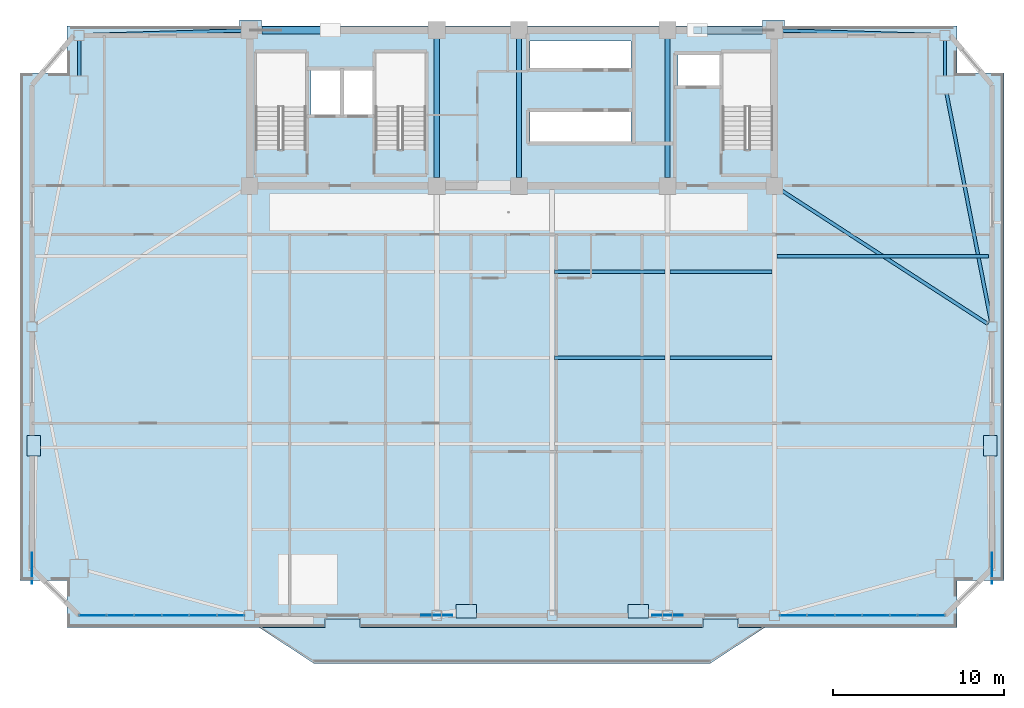
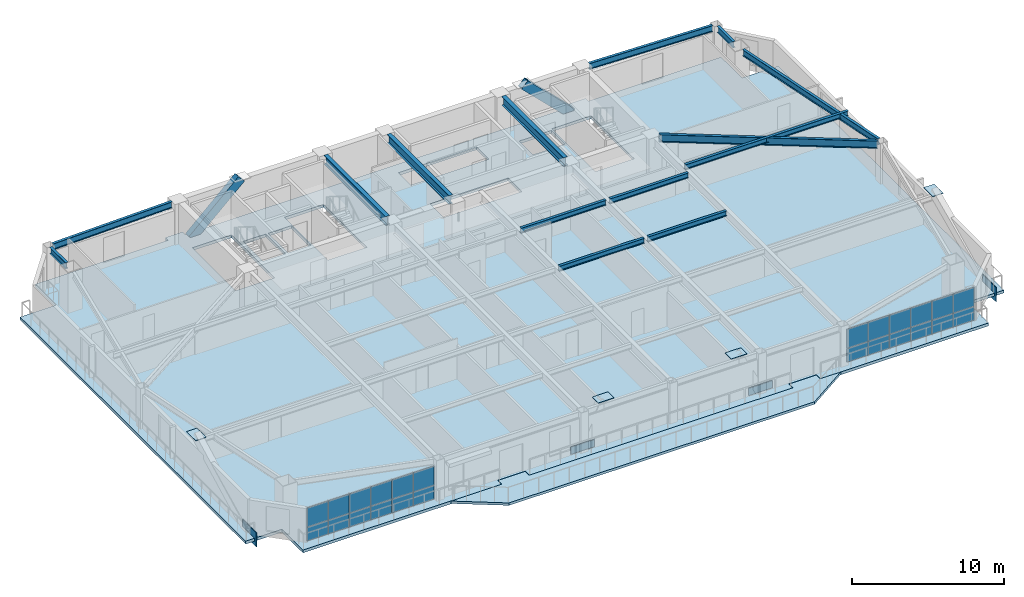
# One storey, part 7 of 17: 32 plates, 14 beams, 2 members, 2 slabs, 2 elements without a shape of their own.
"""IFC4 building model written with IfcOpenShell, lengths in metres."""

import ifcopenshell
import ifcopenshell.guid

model = None  # the IFC model being written
_history = None  # IfcOwnerHistory: only IFC2X3 demands one
_inside = {}  # id of a spatial element -> (the spatial element, [elements in it])
_under = {}  # id of a project, library or spatial element -> (it, [spatial elements below it])
_declared = {}  # id of a project -> (the project, [libraries it declares])
_typed = {}  # id of a type object -> (the type object, [elements of that type])
_made_of = {}  # id of a material, layer set ... -> (it, [elements and type objects made of it])


def new_model(schema):
    """Start an empty IFC model of exactly this schema.

    Asked for "IFC4X3", IfcOpenShell would pick the latest addendum, in which some entities
    have other attributes; the version numbers below select the first issue.
    IFC2X3 requires an IfcOwnerHistory on every rooted entity: one is made here for all.
    """
    global model, _history
    if schema == "IFC4X3":
        model = ifcopenshell.file(schema_version=(4, 3, 0, 0))
    else:
        model = ifcopenshell.file(schema=schema)
    _inside.clear()
    _under.clear()
    _declared.clear()
    _typed.clear()
    _made_of.clear()
    _history = None
    if model.schema == "IFC2X3":
        org = make("IfcOrganization", Name="unknown")
        user = make(
            "IfcPersonAndOrganization",
            ThePerson=make("IfcPerson", FamilyName="unknown"),
            TheOrganization=org,
        )
        app = make(
            "IfcApplication",
            ApplicationDeveloper=org,
            Version="unknown",
            ApplicationFullName="unknown",
            ApplicationIdentifier="unknown",
        )
        _history = make(
            "IfcOwnerHistory",
            OwningUser=user,
            OwningApplication=app,
            ChangeAction="ADDED",
            CreationDate=0,
        )
    return model


def make(cls, **values):
    """One entity of the class cls with the attributes given. An attribute that is None is left unset."""
    return model.create_entity(
        cls, **{name: value for name, value in values.items() if value is not None}
    )


def rooted(cls, **values):
    """An entity with a GlobalId (a new one), such as an element, a storey or a relation."""
    return make(cls, GlobalId=ifcopenshell.guid.new(), OwnerHistory=_history, **values)


def si_unit(unit_type, name, prefix=None):
    """IfcSIUnit, for example si_unit("LENGTHUNIT", "METRE", prefix="MILLI")."""
    return make("IfcSIUnit", UnitType=unit_type, Prefix=prefix, Name=name)


def assignment(units):
    """IfcUnitAssignment: the units of a project."""
    return None if units is None else make("IfcUnitAssignment", Units=units)


def point(xyz):
    """IfcCartesianPoint."""
    return None if xyz is None else make("IfcCartesianPoint", Coordinates=xyz)


def direction(xyz):
    """IfcDirection."""
    return None if xyz is None else make("IfcDirection", DirectionRatios=xyz)


def frame(location, z_axis=None, x_axis=None):
    """IfcAxis2Placement3D, a coordinate frame: its origin and axes. An axis left out is left unset."""
    return make(
        "IfcAxis2Placement3D",
        Location=point(location),
        Axis=direction(z_axis),
        RefDirection=direction(x_axis),
    )


def frame_2d(location, x_axis=None):
    """IfcAxis2Placement2D, a coordinate frame in the plane: its origin and x axis."""
    return make(
        "IfcAxis2Placement2D", Location=point(location), RefDirection=direction(x_axis)
    )


def origin():
    """The frame at (0, 0, 0) with its axes left unset."""
    return frame((0.0, 0.0, 0.0))


def origin_2d():
    """The frame at (0, 0) in the plane with its x axis left unset."""
    return frame_2d((0.0, 0.0))


def place(relative_to, where):
    """IfcLocalPlacement: puts the frame where relative to a parent placement (None: the world)."""
    return make(
        "IfcLocalPlacement", PlacementRelTo=relative_to, RelativePlacement=where
    )


def context(
    kind, dimensions, precision=None, world=None, true_north=None, identifier=None
):
    """IfcGeometricRepresentationContext, for example the 3D "Model" context."""
    return make(
        "IfcGeometricRepresentationContext",
        ContextIdentifier=identifier,
        ContextType=kind,
        CoordinateSpaceDimension=dimensions,
        Precision=precision,
        WorldCoordinateSystem=world,
        TrueNorth=true_north,
    )


def subcontext(parent, identifier, kind, view, scale=None):
    """IfcGeometricRepresentationSubContext, for example "Body" below "Model"."""
    return make(
        "IfcGeometricRepresentationSubContext",
        ContextIdentifier=identifier,
        ContextType=kind,
        ParentContext=parent,
        TargetScale=scale,
        TargetView=view,
    )


def project(units=None, contexts=None):
    """IfcProject with its units and contexts."""
    return rooted(
        "IfcProject",
        Name="project",
        RepresentationContexts=contexts,
        UnitsInContext=assignment(units),
    )


def spatial(cls, under=None, at=None, **own):
    """A site, building, storey or space (cls), placed at a placement, below another one or the project."""
    s = rooted(cls, ObjectPlacement=at, **own)
    if under is not None:
        _under.setdefault(under.id(), (under, []))[1].append(s)
    return s


def polyline(points):
    """IfcPolyline through the points."""
    return make("IfcPolyline", Points=[point(p) for p in points])


def profile(cls, at=None, kind="AREA", **sizes):
    """A parametric profile (cls). Its sizes go by their IFC names, for example OverallWidth=200.0."""
    return make(cls, ProfileType=kind, Position=at, **sizes)


def rectangle(**sizes):
    """IfcRectangleProfileDef."""
    return profile("IfcRectangleProfileDef", **sizes)


def hollow_rectangle(**sizes):
    """IfcRectangleHollowProfileDef."""
    return profile("IfcRectangleHollowProfileDef", **sizes)


def i_section(**sizes):
    """IfcIShapeProfileDef."""
    return profile("IfcIShapeProfileDef", **sizes)


def outline(outer, holes=None, kind="AREA"):
    """IfcArbitraryClosedProfileDef: a profile drawn as a closed curve; with holes, ...WithVoids."""
    if holes is None:
        return make("IfcArbitraryClosedProfileDef", ProfileType=kind, OuterCurve=outer)
    return make(
        "IfcArbitraryProfileDefWithVoids",
        ProfileType=kind,
        OuterCurve=outer,
        InnerCurves=holes,
    )


def extrude(swept, where, along, depth):
    """IfcExtrudedAreaSolid: the profile swept, set in the frame where, extruded along a direction by depth."""
    return make(
        "IfcExtrudedAreaSolid",
        SweptArea=swept,
        Position=where,
        ExtrudedDirection=direction(along),
        Depth=depth,
    )


def shape(context_of_items, identifier, shape_type, items):
    """IfcShapeRepresentation: the items that make up one representation, for example the "Body"."""
    return make(
        "IfcShapeRepresentation",
        ContextOfItems=context_of_items,
        RepresentationIdentifier=identifier,
        RepresentationType=shape_type,
        Items=items,
    )


def source(mapping_origin, context_of_items, identifier, shape_type, items):
    """IfcRepresentationMap: a shape defined once, which mapped items show again and again."""
    return make(
        "IfcRepresentationMap",
        MappingOrigin=mapping_origin,
        MappedRepresentation=shape(context_of_items, identifier, shape_type, items),
    )


def transform(
    local_origin,
    x_axis=None,
    y_axis=None,
    z_axis=None,
    scale=None,
    scale2=None,
    scale3=None,
    uniform=True,
):
    """IfcCartesianTransformationOperator3D, or its non-uniform kind. x_axis, y_axis, z_axis: its Axis1, 2, 3."""
    if uniform:
        return make(
            "IfcCartesianTransformationOperator3D",
            Axis1=direction(x_axis),
            Axis2=direction(y_axis),
            LocalOrigin=point(local_origin),
            Scale=scale,
            Axis3=direction(z_axis),
        )
    return make(
        "IfcCartesianTransformationOperator3DnonUniform",
        Axis1=direction(x_axis),
        Axis2=direction(y_axis),
        LocalOrigin=point(local_origin),
        Scale=scale,
        Axis3=direction(z_axis),
        Scale2=scale2,
        Scale3=scale3,
    )


def mapped(mapping_source, mapping_target):
    """IfcMappedItem: shows the shape of a source again, moved by a transform."""
    return make(
        "IfcMappedItem", MappingSource=mapping_source, MappingTarget=mapping_target
    )


def material(Name=None, Category=None):
    """IfcMaterial."""
    return make("IfcMaterial", Name=Name, Category=Category)


def layer(
    of_material, thickness, ventilated=None, Name=None, Category=None, Priority=None
):
    """IfcMaterialLayer: one layer of a wall or slab, of a material (None: an air gap)."""
    return make(
        "IfcMaterialLayer",
        Material=of_material,
        LayerThickness=thickness,
        IsVentilated=ventilated,
        Name=Name,
        Category=Category,
        Priority=Priority,
    )


def layer_set(layers, Name=None):
    """IfcMaterialLayerSet."""
    return make("IfcMaterialLayerSet", MaterialLayers=layers, LayerSetName=Name)


def material_profile(
    of_material, cross_section, Name=None, Category=None, Priority=None
):
    """IfcMaterialProfile: a cross section and its material."""
    return make(
        "IfcMaterialProfile",
        Name=Name,
        Material=of_material,
        Profile=cross_section,
        Priority=Priority,
        Category=Category,
    )


def profile_set(profiles, Name=None, composite=None):
    """IfcMaterialProfileSet."""
    return make(
        "IfcMaterialProfileSet",
        Name=Name,
        MaterialProfiles=profiles,
        CompositeProfile=composite,
    )


def made_of(thing, what):
    """Note that an element or type object is made of a material, layer set ...; save() writes the relation."""
    if what is not None:
        _made_of.setdefault(what.id(), (what, []))[1].append(thing)
    return thing


def type_object(cls, material=None, **own):
    """A type object (cls), such as IfcWallType, which elements share."""
    return made_of(rooted(cls, **own), material)


def element(
    cls,
    number,
    at=None,
    inside=None,
    cuts=None,
    type_object=None,
    material=None,
    context=None,
    identifier="Body",
    shape_type=None,
    held_by="IfcProductDefinitionShape",
    body=None,
    shapes=None,
    **own,
):
    """One element of the class cls, such as IfcWall. Its Tag is "e" and its number.

    at: its placement. inside: the storey or other place that contains it. cuts: it is an
    opening in that element (IfcRelVoidsElement). A single representation is given by context,
    identifier, shape_type and body (its items); several are given by shapes. held_by: the class
    of the entity that holds the representations. save() writes the other relations.
    """
    e = rooted(cls, Tag="e%d" % number, ObjectPlacement=at, **own)
    if body is not None:
        shapes = [shape(context, identifier, shape_type, body)]
    if shapes is not None:
        e.Representation = make(held_by, Representations=shapes)
    if inside is not None:
        _inside.setdefault(inside.id(), (inside, []))[1].append(e)
    if cuts is not None:
        rooted(
            "IfcRelVoidsElement", RelatingBuildingElement=cuts, RelatedOpeningElement=e
        )
    if type_object is not None:
        _typed.setdefault(type_object.id(), (type_object, []))[1].append(e)
    return made_of(e, material)


def aggregate(whole, parts):
    """IfcRelAggregates: a whole, such as a stair, and the parts it consists of."""
    return rooted("IfcRelAggregates", RelatingObject=whole, RelatedObjects=parts)


def save(model, path):
    """Write the relations noted so far, then the file.

    IfcRelAggregates (storeys below a building ...), IfcRelContainedInSpatialStructure (elements
    in a storey), IfcRelDefinesByType, IfcRelAssociatesMaterial and IfcRelDeclares: one each for
    every whole, place, type object, material and project.
    """
    for whole, parts in _under.values():
        aggregate(whole, parts)
    for where, things in _inside.values():
        rooted(
            "IfcRelContainedInSpatialStructure",
            RelatedElements=things,
            RelatingStructure=where,
        )
    for kind, things in _typed.values():
        rooted("IfcRelDefinesByType", RelatedObjects=things, RelatingType=kind)
    for what, things in _made_of.values():
        rooted("IfcRelAssociatesMaterial", RelatedObjects=things, RelatingMaterial=what)
    for by, libraries in _declared.values():
        rooted("IfcRelDeclares", RelatingContext=by, RelatedDefinitions=libraries)
    model.write(path)


model = new_model("IFC4")

# Units and contexts
model_context = context("Model", 3, precision=1e-05, world=origin(), true_north=direction((0.0, 1.0)))
body_context = subcontext(model_context, "Body", "Model", "MODEL_VIEW")
ifc_project = project(units=[si_unit("LENGTHUNIT", "METRE"), si_unit("AREAUNIT", "SQUARE_METRE"), si_unit("VOLUMEUNIT", "CUBIC_METRE"), si_unit("PLANEANGLEUNIT", "RADIAN"), si_unit("MASSUNIT", "GRAM", prefix="KILO")], contexts=[model_context])

# Site, building, storey
site_placement = place(None, origin())
site = spatial("IfcSite", under=ifc_project, at=site_placement, CompositionType="ELEMENT")
building_placement = place(site_placement, origin())
building = spatial("IfcBuilding", under=site, at=building_placement, Name="Giltprow Tower", CompositionType="ELEMENT")
storey_placement = place(building_placement, frame((0.0, 0.0, 213.199951171875)))
storey = spatial("IfcBuildingStorey", under=building, at=storey_placement, Name="L54", CompositionType="ELEMENT", Elevation=213.199951171875)

# Beams
ifc_material_1 = material(Name="Structural steel Q355B", Category="steel")
ifc_material_profile_1 = material_profile(ifc_material_1, i_section(OverallWidth=0.300048828125, OverallDepth=0.699951171875, WebThickness=0.012939453125, FlangeThickness=0.02392578125, at=origin_2d()), Name="HN 700x300x13x24")
ifc_profile_set_1 = profile_set([ifc_material_profile_1], Name="Structural steel Q355B")
beam_type_1 = type_object("IfcBeamType", Name="BM-GIRD-HN700", PredefinedType="BEAM", material=ifc_profile_set_1)
shared_shape_1 = source(origin(), body_context, "Body", "SweptSolid", [
    extrude(i_section(OverallWidth=0.300048828125, OverallDepth=0.699951171875, WebThickness=0.012939453125, FlangeThickness=0.02392578125, at=origin_2d()), origin(), (0.0, 0.0, 1.0), 8.1298828125),
])
for number, where, z_axis, x_axis, name in (
    (1, (30.800048828125, 37.93505859375, 2.920166015625), (0.0, 1.0, 0.0), (-1.0, 0.0, 0.0), "L54 Core Tie Girder M1"),
    (2, (35.60009765625, 37.93505859375, 2.920166015625), (0.0, 1.0, 0.0), (-1.0, 0.0, 0.0), "L54 Core Tie Girder M2"),
    (3, (44.300048828125, 37.93505859375, 2.920166015625), (0.0, 1.0, 0.0), (-1.0, 0.0, 0.0), "L54 Core Tie Girder M3"),
):
    element("IfcBeam", number, at=place(storey_placement, frame(where, z_axis=z_axis, x_axis=x_axis)), inside=storey, type_object=beam_type_1, Name=name, PredefinedType="BEAM", context=body_context, shape_type="MappedRepresentation", body=[
        mapped(shared_shape_1, transform((0.0, 0.0, 0.0), x_axis=(1.0, 0.0, 0.0), y_axis=(0.0, 1.0, 0.0), z_axis=(0.0, 0.0, 1.0), scale=1.0)),
    ])
ifc_material_profile_2 = material_profile(ifc_material_1, i_section(OverallWidth=0.199951171875, OverallDepth=0.39990234375, WebThickness=0.008056640625, FlangeThickness=0.012939453125, at=origin_2d()), Name="HN 400x200x8x13")
ifc_profile_set_2 = profile_set([ifc_material_profile_2], Name="Structural steel Q355B")
beam_type_2 = type_object("IfcBeamType", Name="BM-JOIST-HN400", PredefinedType="JOIST", material=ifc_profile_set_2)
shared_shape_2 = source(origin(), body_context, "Body", "SweptSolid", [
    extrude(i_section(OverallWidth=0.199951171875, OverallDepth=0.39990234375, WebThickness=0.008056640625, FlangeThickness=0.012939453125, at=origin_2d()), origin(), (0.0, 0.0, 1.0), 6.4599609375),
])
for number, where, z_axis, x_axis, name in (
    (4, (37.695068359375, 27.39697265625, 3.070068359375), (1.0, 0.0, 0.0), (0.0, 1.0, 0.0), "L54 Composite Floor Joist 3-3"),
    (5, (37.695068359375, 32.424072265625, 3.070068359375), (1.0, 0.0, 0.0), (0.0, 1.0, 0.0), "L54 Composite Floor Joist 4-3"),
):
    element("IfcBeam", number, at=place(storey_placement, frame(where, z_axis=z_axis, x_axis=x_axis)), inside=storey, type_object=beam_type_2, Name=name, PredefinedType="JOIST", context=body_context, shape_type="MappedRepresentation", body=[
        mapped(shared_shape_2, transform((0.0, 0.0, 0.0), x_axis=(1.0, 0.0, 0.0), y_axis=(0.0, 1.0, 0.0), z_axis=(0.0, 0.0, 1.0), scale=1.0)),
    ])
shared_shape_3 = source(origin(), body_context, "Body", "SweptSolid", [
    extrude(i_section(OverallWidth=0.199951171875, OverallDepth=0.39990234375, WebThickness=0.008056640625, FlangeThickness=0.012939453125, at=origin_2d()), origin(), (0.0, 0.0, 1.0), 5.9599609375),
])
for number, where, z_axis, x_axis, name in (
    (6, (44.445068359375, 27.39697265625, 3.070068359375), (1.0, 0.0, 0.0), (0.0, 1.0, 0.0), "L54 Composite Floor Joist 3-4"),
    (7, (44.445068359375, 32.424072265625, 3.070068359375), (1.0, 0.0, 0.0), (0.0, 1.0, 0.0), "L54 Composite Floor Joist 4-4"),
):
    element("IfcBeam", number, at=place(storey_placement, frame(where, z_axis=z_axis, x_axis=x_axis)), inside=storey, type_object=beam_type_2, Name=name, PredefinedType="JOIST", context=body_context, shape_type="MappedRepresentation", body=[
        mapped(shared_shape_3, transform((0.0, 0.0, 0.0), x_axis=(1.0, 0.0, 0.0), y_axis=(0.0, 1.0, 0.0), z_axis=(0.0, 0.0, 1.0), scale=1.0)),
    ])
ifc_material_profile_3 = material_profile(ifc_material_1, i_section(OverallWidth=0.199951171875, OverallDepth=0.5, WebThickness=0.010009765625, FlangeThickness=0.01611328125, at=origin_2d()), Name="HN 500x200x10x16")
ifc_profile_set_3 = profile_set([ifc_material_profile_3], Name="Structural steel Q355B")
beam_type_3 = type_object("IfcBeamType", Name="BM-SPAN-HN500", PredefinedType="SPANDREL", material=ifc_profile_set_3)
shared_shape_4 = source(origin(), body_context, "Body", "SweptSolid", [
    extrude(i_section(OverallWidth=0.199951171875, OverallDepth=0.5, WebThickness=0.010009765625, FlangeThickness=0.01611328125, at=origin_2d()), origin(), (0.0, 0.0, 1.0), 13.582763671875),
])
beam_1_placement = place(storey_placement, frame((63.22802734375, 29.489013671875, 3.02001953125), z_axis=(-0.191281458671, 0.98153522788, 0.0), x_axis=(-0.98153522788, -0.191281458671, 0.0)))
element("IfcBeam", 8, at=beam_1_placement, inside=storey, type_object=beam_type_3, Name="L54 Perimeter Spandrel Beam E_MID-MC_NE", PredefinedType="SPANDREL", context=body_context, shape_type="MappedRepresentation", body=[
    mapped(shared_shape_4, transform((0.0, 0.0, 0.0), x_axis=(1.0, 0.0, 0.0), y_axis=(0.0, 1.0, 0.0), z_axis=(0.0, 0.0, 1.0), scale=1.0)),
])
shared_shape_5 = source(origin(), body_context, "Body", "SweptSolid", [
    extrude(i_section(OverallWidth=0.199951171875, OverallDepth=0.5, WebThickness=0.010009765625, FlangeThickness=0.01611328125, at=origin_2d()), origin(), (0.0, 0.0, 1.0), 2.083984375),
])
for number, where, z_axis, x_axis, name in (
    (9, (60.528076171875, 43.881103515625, 3.02001953125), (0.0, 1.0, 0.0), (-1.0, 0.0, 0.0), "L54 Perimeter Spandrel Beam MC_NE-N_E"),
    (10, (9.8720703125, 45.965087890625, 3.02001953125), (0.0, -1.0, 0.0), (1.0, 0.0, 0.0), "L54 Perimeter Spandrel Beam N_W-MC_NW"),
):
    element("IfcBeam", number, at=place(storey_placement, frame(where, z_axis=z_axis, x_axis=x_axis)), inside=storey, type_object=beam_type_3, Name=name, PredefinedType="SPANDREL", context=body_context, shape_type="MappedRepresentation", body=[
        mapped(shared_shape_5, transform((0.0, 0.0, 0.0), x_axis=(1.0, 0.0, 0.0), y_axis=(0.0, 1.0, 0.0), z_axis=(0.0, 0.0, 1.0), scale=1.0)),
    ])
shared_shape_6 = source(origin(), body_context, "Body", "SweptSolid", [
    extrude(i_section(OverallWidth=0.199951171875, OverallDepth=0.5, WebThickness=0.010009765625, FlangeThickness=0.01611328125, at=origin_2d()), origin(), (0.0, 0.0, 1.0), 9.212158203125),
])
for number, where, z_axis, x_axis, name in (
    (11, (10.156982421875, 46.259033203125, 3.02001953125), (0.999551478387, 0.029947321311, 0.0), (-0.029947321311, 0.999551478387, 0.0), "L54 North Wing Spandrel W"),
    (12, (51.034912109375, 46.534912109375, 3.02001953125), (0.999551478387, -0.029947321311, 0.0), (0.029947321311, 0.999551478387, 0.0), "L54 North Wing Spandrel E"),
):
    element("IfcBeam", number, at=place(storey_placement, frame(where, z_axis=z_axis, x_axis=x_axis)), inside=storey, type_object=beam_type_3, Name=name, PredefinedType="SPANDREL", context=body_context, shape_type="MappedRepresentation", body=[
        mapped(shared_shape_6, transform((0.0, 0.0, 0.0), x_axis=(1.0, 0.0, 0.0), y_axis=(0.0, 1.0, 0.0), z_axis=(0.0, 0.0, 1.0), scale=1.0)),
    ])
ifc_material_profile_4 = material_profile(ifc_material_1, i_section(OverallWidth=0.199951171875, OverallDepth=0.60009765625, WebThickness=0.010986328125, FlangeThickness=0.01708984375, at=origin_2d()), Name="HN 600x200x11x17")
ifc_profile_set_4 = profile_set([ifc_material_profile_4], Name="Structural steel Q355B")
beam_type_4 = type_object("IfcBeamType", Name="BM-GIRD-HN600", PredefinedType="BEAM", material=ifc_profile_set_4)
shared_shape_7 = source(origin(), body_context, "Body", "SweptSolid", [
    extrude(i_section(OverallWidth=0.199951171875, OverallDepth=0.60009765625, WebThickness=0.010986328125, FlangeThickness=0.01708984375, at=origin_2d()), origin(), (0.0, 0.0, 1.0), 14.396240234375),
])
beam_2_placement = place(storey_placement, frame((63.04296875, 29.364013671875, 2.969970703125), z_axis=(-0.839516009713, 0.543334951422, 0.0), x_axis=(-0.543334951422, -0.839516009713, 0.0)))
element("IfcBeam", 13, at=beam_2_placement, inside=storey, type_object=beam_type_4, Name="L54 East Wing Primary Girder", PredefinedType="BEAM", context=body_context, shape_type="MappedRepresentation", body=[
    mapped(shared_shape_7, transform((0.0, 0.0, 0.0), x_axis=(1.0, 0.0, 0.0), y_axis=(0.0, 1.0, 0.0), z_axis=(0.0, 0.0, 1.0), scale=1.0)),
])
shared_shape_8 = source(origin(), body_context, "Body", "SweptSolid", [
    extrude(i_section(OverallWidth=0.199951171875, OverallDepth=0.39990234375, WebThickness=0.008056640625, FlangeThickness=0.012939453125, at=origin_2d()), origin(), (0.0, 0.0, 1.0), 12.366943359375),
])
beam_3_placement = place(storey_placement, frame((50.695068359375, 33.330078125, 3.070068359375), z_axis=(1.0, 0.0, 0.0), x_axis=(0.0, 1.0, 0.0)))
element("IfcBeam", 14, at=beam_3_placement, inside=storey, type_object=beam_type_2, Name="L54 East Wing Floor Joist 2", PredefinedType="JOIST", context=body_context, shape_type="MappedRepresentation", body=[
    mapped(shared_shape_8, transform((0.0, 0.0, 0.0), x_axis=(1.0, 0.0, 0.0), y_axis=(0.0, 1.0, 0.0), z_axis=(0.0, 0.0, 1.0), scale=1.0)),
])

# Members
ifc_material_2 = material(Name="Structural steel Q420GJC", Category="steel")
ifc_material_profile_5 = material_profile(ifc_material_2, hollow_rectangle(XDim=0.449951171875, YDim=0.699951171875, WallThickness=0.031982421875, at=origin_2d()), Name="RHS 700x450x32")
ifc_profile_set_5 = profile_set([ifc_material_profile_5], Name="Structural steel Q420GJC")
member_type = type_object("IfcMemberType", Name="MBR-MEGA-RHS700", PredefinedType="BRACE", material=ifc_profile_set_5)
shared_shape_9 = source(origin(), body_context, "Body", "SweptSolid", [
    extrude(hollow_rectangle(XDim=0.449951171875, YDim=0.699951171875, WallThickness=0.031982421875, at=origin_2d()), origin(), (0.0, 0.0, 1.0), 5.13232421875),
])
member_1_placement = place(storey_placement, frame((20.800048828125, 46.550048828125, -0.139892578125), z_axis=(0.731409502329, 0.0, 0.681938516219), x_axis=(0.0, 1.0, 0.0)))
element("IfcMember", 15, at=member_1_placement, inside=storey, type_object=member_type, Name="L54 Chevron Mega-Brace N-L", PredefinedType="BRACE", context=body_context, shape_type="MappedRepresentation", body=[
    mapped(shared_shape_9, transform((0.0, 0.0, 0.0), x_axis=(1.0, 0.0, 0.0), y_axis=(0.0, 1.0, 0.0), z_axis=(0.0, 0.0, 1.0), scale=1.0)),
])
shared_shape_10 = source(origin(), body_context, "Body", "SweptSolid", [
    extrude(hollow_rectangle(XDim=0.449951171875, YDim=0.699951171875, WallThickness=0.031982421875, at=origin_2d()), origin(), (0.0, 0.0, 1.0), 4.98583984375),
])
member_2_placement = place(storey_placement, frame((49.60009765625, 46.550048828125, -0.139892578125), z_axis=(-0.712205175903, 0.0, 0.701971357975), x_axis=(0.0, -1.0, 0.0)))
element("IfcMember", 16, at=member_2_placement, inside=storey, type_object=member_type, Name="L54 Chevron Mega-Brace N-R", PredefinedType="BRACE", context=body_context, shape_type="MappedRepresentation", body=[
    mapped(shared_shape_10, transform((0.0, 0.0, 0.0), x_axis=(1.0, 0.0, 0.0), y_axis=(0.0, 1.0, 0.0), z_axis=(0.0, 0.0, 1.0), scale=1.0)),
])

# Slabs
ifc_material_3 = material(Name="Concrete C40", Category="concrete")
ifc_layer_1 = layer(ifc_material_3, 0.199951171875, Name="Concrete C40")
ifc_layer_set_1 = layer_set([ifc_layer_1], Name="Concrete C40")
slab_type_1 = type_object("IfcSlabType", Name="SLB-BALC-BRONZE-200", PredefinedType="FLOOR", material=ifc_layer_set_1)
slab_1_placement = place(storey_placement, frame((0.0, 0.0, -0.199951171875)))
element("IfcSlab", 17, at=slab_1_placement, inside=storey, type_object=slab_type_1, Name="L54 Bronze Prow Waterfront Balcony Slab", PredefinedType="FLOOR", context=body_context, shape_type="SweptSolid", body=[
    extrude(outline(polyline([(50.0, 11.617919921875), (46.800048828125, 9.51806640625), (23.60009765625, 9.51806640625), (20.39990234375, 11.617919921875), (24.280029296875, 11.617919921875), (24.280029296875, 12.117919921875), (26.320068359375, 12.117919921875), (26.320068359375, 11.617919921875), (46.3798828125, 11.617919921875), (46.3798828125, 12.117919921875), (48.419921875, 12.117919921875), (48.419921875, 11.617919921875), (50.0, 11.617919921875)])), origin(), (0.0, 0.0, 1.0), 0.199951171875),
])
ifc_layer_2 = layer(ifc_material_3, 0.22998046875, Name="Concrete C40")
ifc_layer_set_2 = layer_set([ifc_layer_2], Name="Concrete C40")
slab_type_2 = type_object("IfcSlabType", Name="SLB-HTL-230", PredefinedType="FLOOR", material=ifc_layer_set_2)
slab_2_placement = place(storey_placement, frame((0.0, 0.0, -0.22998046875)))
element("IfcSlab", 18, at=slab_2_placement, inside=storey, type_object=slab_type_2, Name="L54 Structural Composite Floor Slab", PredefinedType="FLOOR", context=body_context, shape_type="SweptSolid", body=[
    extrude(outline(polyline([(63.98193359375, 44.0458984375), (63.98193359375, 14.3720703125), (61.22802734375, 14.3720703125), (61.22802734375, 11.617919921875), (48.449951171875, 11.617919921875), (48.449951171875, 12.137939453125), (46.35009765625, 12.137939453125), (46.35009765625, 11.617919921875), (26.35009765625, 11.617919921875), (26.35009765625, 12.137939453125), (24.25, 12.137939453125), (24.25, 11.617919921875), (9.172119140625, 11.617919921875), (9.172119140625, 14.3720703125), (6.41796875, 14.3720703125), (6.41796875, 44.0458984375), (9.172119140625, 44.0458984375), (9.172119140625, 46.800048828125), (19.25, 46.800048828125), (19.25, 47.14990234375), (20.550048828125, 47.14990234375), (20.550048828125, 46.800048828125), (49.85009765625, 46.800048828125), (49.85009765625, 47.14990234375), (51.14990234375, 47.14990234375), (51.14990234375, 46.800048828125), (61.22802734375, 46.800048828125), (61.22802734375, 44.0458984375), (63.98193359375, 44.0458984375)]), holes=[polyline([(42.169921875, 41.800048828125), (36.239990234375, 41.800048828125), (36.239990234375, 40.0), (42.169921875, 40.0), (42.169921875, 41.800048828125)]), polyline([(23.159912109375, 39.570068359375), (23.159912109375, 45.25), (20.199951171875, 45.25), (20.199951171875, 39.570068359375), (23.159912109375, 39.570068359375)]), polyline([(30.159912109375, 39.570068359375), (30.159912109375, 45.25), (27.199951171875, 45.25), (27.199951171875, 39.570068359375), (30.159912109375, 39.570068359375)]), polyline([(50.4599609375, 45.25), (47.5, 45.25), (47.5, 39.570068359375), (50.4599609375, 39.570068359375), (50.4599609375, 45.25)]), polyline([(25.169921875, 44.199951171875), (23.449951171875, 44.199951171875), (23.449951171875, 41.60009765625), (25.169921875, 41.60009765625), (25.169921875, 44.199951171875)]), polyline([(27.10009765625, 44.199951171875), (25.35009765625, 44.199951171875), (25.35009765625, 41.60009765625), (27.10009765625, 41.60009765625), (27.10009765625, 44.199951171875)]), polyline([(47.3798828125, 43.300048828125), (47.3798828125, 45.10009765625), (44.919921875, 45.10009765625), (44.919921875, 43.300048828125), (47.3798828125, 43.300048828125)]), polyline([(42.169921875, 44.300048828125), (42.169921875, 45.919921875), (36.239990234375, 45.919921875), (36.239990234375, 44.300048828125), (42.169921875, 44.300048828125)])]), origin(), (0.0, 0.0, 1.0), 0.22998046875),
])

# Plates
plate_type_1 = type_object("IfcPlateType", Name="PLT-NODE-MBN1", PredefinedType="USERDEFINED", material=ifc_material_2)
shared_shape_11 = source(origin(), body_context, "Body", "SweptSolid", [
    extrude(rectangle(XDim=1.800048828125, YDim=0.050048828125, at=origin_2d()), origin(), (0.0, 0.0, 1.0), 1.14990234375),
])
for number, where, z_axis, x_axis, name in (
    (19, (30.800048828125, 12.318115234375, -0.574951171875), (0.0, 0.0, 1.0), (1.0, 0.0, 0.0), "Mega-Brace Node L54-S-LA"),
    (20, (44.300048828125, 12.318115234375, -0.574951171875), (0.0, 0.0, 1.0), (1.0, 0.0, 0.0), "Mega-Brace Node L54-S-RA"),
    (21, (7.117919921875, 15.072021484375, -0.574951171875), (0.0, 0.0, 1.0), (0.0, 1.0, 0.0), "Mega-Brace Node L54-W-DA"),
    (22, (63.281982421875, 15.072021484375, -0.574951171875), (0.0, 0.0, 1.0), (0.0, 1.0, 0.0), "Mega-Brace Node L54-E-DA"),
):
    element("IfcPlate", number, at=place(storey_placement, frame(where, z_axis=z_axis, x_axis=x_axis)), inside=storey, type_object=plate_type_1, Name=name, ObjectType="GUSSET", PredefinedType="USERDEFINED", context=body_context, shape_type="MappedRepresentation", body=[
        mapped(shared_shape_11, transform((0.0, 0.0, 0.0), x_axis=(1.0, 0.0, 0.0), y_axis=(0.0, 1.0, 0.0), z_axis=(0.0, 0.0, 1.0), scale=1.0)),
    ])
plate_type_2 = type_object("IfcPlateType", Name="PLT-CAP-SEAL", PredefinedType="USERDEFINED", material=ifc_material_2)
shared_shape_12 = source(origin(), body_context, "Body", "SweptSolid", [
    extrude(rectangle(XDim=1.199951171875, YDim=0.800048828125, at=origin_2d()), origin(), (0.0, 0.0, 1.0), 0.034912109375),
])
for number, where, z_axis, x_axis, name in (
    (23, (32.511962890625, 12.553955078125, 3.482421875), (0.0, 0.0, 1.0), (1.0, 0.0, 0.0), "Mega-Brace Node L54-S-LB"),
    (24, (42.587890625, 12.553955078125, 3.482421875), (0.0, 0.0, 1.0), (1.0, 0.0, 0.0), "Mega-Brace Node L54-S-RB"),
    (25, (7.222900390625, 22.2548828125, 3.482421875), (0.0, 0.0, 1.0), (0.0, 1.0, 0.0), "Mega-Brace Node L54-W-DB"),
    (26, (63.177001953125, 22.2548828125, 3.482421875), (0.0, 0.0, 1.0), (0.0, 1.0, 0.0), "Mega-Brace Node L54-E-DB"),
):
    element("IfcPlate", number, at=place(storey_placement, frame(where, z_axis=z_axis, x_axis=x_axis)), inside=storey, type_object=plate_type_2, Name=name, ObjectType="SPLICE", PredefinedType="USERDEFINED", context=body_context, shape_type="MappedRepresentation", body=[
        mapped(shared_shape_12, transform((0.0, 0.0, 0.0), x_axis=(1.0, 0.0, 0.0), y_axis=(0.0, 1.0, 0.0), z_axis=(0.0, 0.0, 1.0), scale=1.0)),
    ])

# Curtain wall, plates
ifc_material_4 = material(Name="Anodized bronze", Category="metal")
ifc_layer_3 = layer(ifc_material_4, 0.179931640625, Name="Anodized bronze")
ifc_layer_set_3 = layer_set([ifc_layer_3], Name="Anodized bronze")
curtain_wall_type = type_object("IfcCurtainWallType", Name="CW-HTL-BRONZE", PredefinedType="NOTDEFINED", material=ifc_layer_set_3)
curtain_wall_1_placement = place(storey_placement, origin())
curtain_wall_1 = element("IfcCurtainWall", 27, at=curtain_wall_1_placement, inside=storey, type_object=curtain_wall_type, Name="L54 South Recessed Curtain Wall 1", PredefinedType="NOTDEFINED")
ifc_material_5 = material(Name="Insulated glass", Category="glass")
plate_type_3 = type_object("IfcPlateType", Name="CW-PANEL-IGU-28", PredefinedType="CURTAIN_PANEL", material=ifc_material_5)
shared_shape_13 = source(origin(), body_context, "Body", "SweptSolid", [
    extrude(rectangle(XDim=1.5830078125, YDim=0.028076171875, at=origin_2d()), origin(), (0.0, 0.0, 1.0), 1.0869140625),
])
plate_1_placement = place(storey_placement, frame((10.677978515625, 12.318115234375, 0.0546875), z_axis=(0.0, 0.0, 1.0), x_axis=(1.0, 0.0, 0.0)))
plate_1 = element("IfcPlate", 28, at=plate_1_placement, type_object=plate_type_3, Name="L54 South Recessed Curtain Wall 1 Glazing Panel 1-1", PredefinedType="CURTAIN_PANEL", context=body_context, shape_type="MappedRepresentation", body=[
    mapped(shared_shape_13, transform((0.0, 0.0, 0.0), x_axis=(1.0, 0.0, 0.0), y_axis=(0.0, 1.0, 0.0), z_axis=(0.0, 0.0, 1.0), scale=1.0)),
])
plate_2_placement = place(storey_placement, frame((12.291015625, 12.318115234375, 0.0546875), z_axis=(0.0, 0.0, 1.0), x_axis=(1.0, 0.0, 0.0)))
plate_2 = element("IfcPlate", 29, at=plate_2_placement, type_object=plate_type_3, Name="L54 South Recessed Curtain Wall 1 Glazing Panel 2-1", PredefinedType="CURTAIN_PANEL", context=body_context, shape_type="MappedRepresentation", body=[
    mapped(shared_shape_13, transform((0.0, 0.0, 0.0), x_axis=(1.0, 0.0, 0.0), y_axis=(0.0, 1.0, 0.0), z_axis=(0.0, 0.0, 1.0), scale=1.0)),
])
plate_3_placement = place(storey_placement, frame((13.904052734375, 12.318115234375, 0.0546875), z_axis=(0.0, 0.0, 1.0), x_axis=(1.0, 0.0, 0.0)))
plate_3 = element("IfcPlate", 30, at=plate_3_placement, type_object=plate_type_3, Name="L54 South Recessed Curtain Wall 1 Glazing Panel 3-1", PredefinedType="CURTAIN_PANEL", context=body_context, shape_type="MappedRepresentation", body=[
    mapped(shared_shape_13, transform((0.0, 0.0, 0.0), x_axis=(1.0, 0.0, 0.0), y_axis=(0.0, 1.0, 0.0), z_axis=(0.0, 0.0, 1.0), scale=1.0)),
])
plate_4_placement = place(storey_placement, frame((15.51806640625, 12.318115234375, 0.0546875), z_axis=(0.0, 0.0, 1.0), x_axis=(1.0, 0.0, 0.0)))
plate_4 = element("IfcPlate", 31, at=plate_4_placement, type_object=plate_type_3, Name="L54 South Recessed Curtain Wall 1 Glazing Panel 4-1", PredefinedType="CURTAIN_PANEL", context=body_context, shape_type="MappedRepresentation", body=[
    mapped(shared_shape_13, transform((0.0, 0.0, 0.0), x_axis=(1.0, 0.0, 0.0), y_axis=(0.0, 1.0, 0.0), z_axis=(0.0, 0.0, 1.0), scale=1.0)),
])
plate_5_placement = place(storey_placement, frame((17.131103515625, 12.318115234375, 0.0546875), z_axis=(0.0, 0.0, 1.0), x_axis=(1.0, 0.0, 0.0)))
plate_5 = element("IfcPlate", 32, at=plate_5_placement, type_object=plate_type_3, Name="L54 South Recessed Curtain Wall 1 Glazing Panel 5-1", PredefinedType="CURTAIN_PANEL", context=body_context, shape_type="MappedRepresentation", body=[
    mapped(shared_shape_13, transform((0.0, 0.0, 0.0), x_axis=(1.0, 0.0, 0.0), y_axis=(0.0, 1.0, 0.0), z_axis=(0.0, 0.0, 1.0), scale=1.0)),
])
plate_6_placement = place(storey_placement, frame((18.743896484375, 12.318115234375, 0.0546875), z_axis=(0.0, 0.0, 1.0), x_axis=(1.0, 0.0, 0.0)))
plate_6 = element("IfcPlate", 33, at=plate_6_placement, type_object=plate_type_3, Name="L54 South Recessed Curtain Wall 1 Glazing Panel 6-1", PredefinedType="CURTAIN_PANEL", context=body_context, shape_type="MappedRepresentation", body=[
    mapped(shared_shape_13, transform((0.0, 0.0, 0.0), x_axis=(1.0, 0.0, 0.0), y_axis=(0.0, 1.0, 0.0), z_axis=(0.0, 0.0, 1.0), scale=1.0)),
])

curtain_wall_2_placement = place(storey_placement, origin())
curtain_wall_2 = element("IfcCurtainWall", 34, at=curtain_wall_2_placement, inside=storey, type_object=curtain_wall_type, Name="L54 South Recessed Curtain Wall 6", PredefinedType="NOTDEFINED")
plate_7_placement = place(storey_placement, frame((51.656982421875, 12.318115234375, 0.0546875), z_axis=(0.0, 0.0, 1.0), x_axis=(1.0, 0.0, 0.0)))
plate_7 = element("IfcPlate", 35, at=plate_7_placement, type_object=plate_type_3, Name="L54 South Recessed Curtain Wall 6 Glazing Panel 1-1", PredefinedType="CURTAIN_PANEL", context=body_context, shape_type="MappedRepresentation", body=[
    mapped(shared_shape_13, transform((0.0, 0.0, 0.0), x_axis=(1.0, 0.0, 0.0), y_axis=(0.0, 1.0, 0.0), z_axis=(0.0, 0.0, 1.0), scale=1.0)),
])
plate_8_placement = place(storey_placement, frame((53.27001953125, 12.318115234375, 0.0546875), z_axis=(0.0, 0.0, 1.0), x_axis=(1.0, 0.0, 0.0)))
plate_8 = element("IfcPlate", 36, at=plate_8_placement, type_object=plate_type_3, Name="L54 South Recessed Curtain Wall 6 Glazing Panel 2-1", PredefinedType="CURTAIN_PANEL", context=body_context, shape_type="MappedRepresentation", body=[
    mapped(shared_shape_13, transform((0.0, 0.0, 0.0), x_axis=(1.0, 0.0, 0.0), y_axis=(0.0, 1.0, 0.0), z_axis=(0.0, 0.0, 1.0), scale=1.0)),
])
plate_9_placement = place(storey_placement, frame((54.883056640625, 12.318115234375, 0.0546875), z_axis=(0.0, 0.0, 1.0), x_axis=(1.0, 0.0, 0.0)))
plate_9 = element("IfcPlate", 37, at=plate_9_placement, type_object=plate_type_3, Name="L54 South Recessed Curtain Wall 6 Glazing Panel 3-1", PredefinedType="CURTAIN_PANEL", context=body_context, shape_type="MappedRepresentation", body=[
    mapped(shared_shape_13, transform((0.0, 0.0, 0.0), x_axis=(1.0, 0.0, 0.0), y_axis=(0.0, 1.0, 0.0), z_axis=(0.0, 0.0, 1.0), scale=1.0)),
])
plate_10_placement = place(storey_placement, frame((56.4951171875, 12.318115234375, 0.0546875), z_axis=(0.0, 0.0, 1.0), x_axis=(1.0, 0.0, 0.0)))
plate_10 = element("IfcPlate", 38, at=plate_10_placement, type_object=plate_type_3, Name="L54 South Recessed Curtain Wall 6 Glazing Panel 4-1", PredefinedType="CURTAIN_PANEL", context=body_context, shape_type="MappedRepresentation", body=[
    mapped(shared_shape_13, transform((0.0, 0.0, 0.0), x_axis=(1.0, 0.0, 0.0), y_axis=(0.0, 1.0, 0.0), z_axis=(0.0, 0.0, 1.0), scale=1.0)),
])
plate_11_placement = place(storey_placement, frame((58.10791015625, 12.318115234375, 0.0546875), z_axis=(0.0, 0.0, 1.0), x_axis=(1.0, 0.0, 0.0)))
plate_11 = element("IfcPlate", 39, at=plate_11_placement, type_object=plate_type_3, Name="L54 South Recessed Curtain Wall 6 Glazing Panel 5-1", PredefinedType="CURTAIN_PANEL", context=body_context, shape_type="MappedRepresentation", body=[
    mapped(shared_shape_13, transform((0.0, 0.0, 0.0), x_axis=(1.0, 0.0, 0.0), y_axis=(0.0, 1.0, 0.0), z_axis=(0.0, 0.0, 1.0), scale=1.0)),
])
plate_12_placement = place(storey_placement, frame((59.720947265625, 12.318115234375, 0.0546875), z_axis=(0.0, 0.0, 1.0), x_axis=(1.0, 0.0, 0.0)))
plate_12 = element("IfcPlate", 40, at=plate_12_placement, type_object=plate_type_3, Name="L54 South Recessed Curtain Wall 6 Glazing Panel 6-1", PredefinedType="CURTAIN_PANEL", context=body_context, shape_type="MappedRepresentation", body=[
    mapped(shared_shape_13, transform((0.0, 0.0, 0.0), x_axis=(1.0, 0.0, 0.0), y_axis=(0.0, 1.0, 0.0), z_axis=(0.0, 0.0, 1.0), scale=1.0)),
])

# Plate
shared_shape_14 = source(origin(), body_context, "Body", "SweptSolid", [
    extrude(rectangle(XDim=1.5830078125, YDim=0.028076171875, at=origin_2d()), origin(), (0.0, 0.0, 1.0), 1.527099609375),
])
plate_13_placement = place(storey_placement, frame((10.677978515625, 12.318115234375, 1.16845703125), z_axis=(0.0, 0.0, 1.0), x_axis=(1.0, 0.0, 0.0)))
plate_13 = element("IfcPlate", 41, at=plate_13_placement, type_object=plate_type_3, Name="L54 South Recessed Curtain Wall 1 Glazing Panel 1-2", PredefinedType="CURTAIN_PANEL", context=body_context, shape_type="MappedRepresentation", body=[
    mapped(shared_shape_14, transform((0.0, 0.0, 0.0), x_axis=(1.0, 0.0, 0.0), y_axis=(0.0, 1.0, 0.0), z_axis=(0.0, 0.0, 1.0), scale=1.0)),
])

plate_14_placement = place(storey_placement, frame((12.291015625, 12.318115234375, 1.16845703125), z_axis=(0.0, 0.0, 1.0), x_axis=(1.0, 0.0, 0.0)))
plate_14 = element("IfcPlate", 42, at=plate_14_placement, type_object=plate_type_3, Name="L54 South Recessed Curtain Wall 1 Glazing Panel 2-2", PredefinedType="CURTAIN_PANEL", context=body_context, shape_type="MappedRepresentation", body=[
    mapped(shared_shape_14, transform((0.0, 0.0, 0.0), x_axis=(1.0, 0.0, 0.0), y_axis=(0.0, 1.0, 0.0), z_axis=(0.0, 0.0, 1.0), scale=1.0)),
])

plate_15_placement = place(storey_placement, frame((13.904052734375, 12.318115234375, 1.16845703125), z_axis=(0.0, 0.0, 1.0), x_axis=(1.0, 0.0, 0.0)))
plate_15 = element("IfcPlate", 43, at=plate_15_placement, type_object=plate_type_3, Name="L54 South Recessed Curtain Wall 1 Glazing Panel 3-2", PredefinedType="CURTAIN_PANEL", context=body_context, shape_type="MappedRepresentation", body=[
    mapped(shared_shape_14, transform((0.0, 0.0, 0.0), x_axis=(1.0, 0.0, 0.0), y_axis=(0.0, 1.0, 0.0), z_axis=(0.0, 0.0, 1.0), scale=1.0)),
])

plate_16_placement = place(storey_placement, frame((15.51806640625, 12.318115234375, 1.16845703125), z_axis=(0.0, 0.0, 1.0), x_axis=(1.0, 0.0, 0.0)))
plate_16 = element("IfcPlate", 44, at=plate_16_placement, type_object=plate_type_3, Name="L54 South Recessed Curtain Wall 1 Glazing Panel 4-2", PredefinedType="CURTAIN_PANEL", context=body_context, shape_type="MappedRepresentation", body=[
    mapped(shared_shape_14, transform((0.0, 0.0, 0.0), x_axis=(1.0, 0.0, 0.0), y_axis=(0.0, 1.0, 0.0), z_axis=(0.0, 0.0, 1.0), scale=1.0)),
])

plate_17_placement = place(storey_placement, frame((17.131103515625, 12.318115234375, 1.16845703125), z_axis=(0.0, 0.0, 1.0), x_axis=(1.0, 0.0, 0.0)))
plate_17 = element("IfcPlate", 45, at=plate_17_placement, type_object=plate_type_3, Name="L54 South Recessed Curtain Wall 1 Glazing Panel 5-2", PredefinedType="CURTAIN_PANEL", context=body_context, shape_type="MappedRepresentation", body=[
    mapped(shared_shape_14, transform((0.0, 0.0, 0.0), x_axis=(1.0, 0.0, 0.0), y_axis=(0.0, 1.0, 0.0), z_axis=(0.0, 0.0, 1.0), scale=1.0)),
])

plate_18_placement = place(storey_placement, frame((18.743896484375, 12.318115234375, 1.16845703125), z_axis=(0.0, 0.0, 1.0), x_axis=(1.0, 0.0, 0.0)))
plate_18 = element("IfcPlate", 46, at=plate_18_placement, type_object=plate_type_3, Name="L54 South Recessed Curtain Wall 1 Glazing Panel 6-2", PredefinedType="CURTAIN_PANEL", context=body_context, shape_type="MappedRepresentation", body=[
    mapped(shared_shape_14, transform((0.0, 0.0, 0.0), x_axis=(1.0, 0.0, 0.0), y_axis=(0.0, 1.0, 0.0), z_axis=(0.0, 0.0, 1.0), scale=1.0)),
])

aggregate(curtain_wall_1, [plate_1, plate_13, plate_2, plate_14, plate_3, plate_15, plate_4, plate_16, plate_5, plate_17, plate_6, plate_18])

plate_19_placement = place(storey_placement, frame((51.656982421875, 12.318115234375, 1.16845703125), z_axis=(0.0, 0.0, 1.0), x_axis=(1.0, 0.0, 0.0)))
plate_19 = element("IfcPlate", 47, at=plate_19_placement, type_object=plate_type_3, Name="L54 South Recessed Curtain Wall 6 Glazing Panel 1-2", PredefinedType="CURTAIN_PANEL", context=body_context, shape_type="MappedRepresentation", body=[
    mapped(shared_shape_14, transform((0.0, 0.0, 0.0), x_axis=(1.0, 0.0, 0.0), y_axis=(0.0, 1.0, 0.0), z_axis=(0.0, 0.0, 1.0), scale=1.0)),
])

plate_20_placement = place(storey_placement, frame((53.27001953125, 12.318115234375, 1.16845703125), z_axis=(0.0, 0.0, 1.0), x_axis=(1.0, 0.0, 0.0)))
plate_20 = element("IfcPlate", 48, at=plate_20_placement, type_object=plate_type_3, Name="L54 South Recessed Curtain Wall 6 Glazing Panel 2-2", PredefinedType="CURTAIN_PANEL", context=body_context, shape_type="MappedRepresentation", body=[
    mapped(shared_shape_14, transform((0.0, 0.0, 0.0), x_axis=(1.0, 0.0, 0.0), y_axis=(0.0, 1.0, 0.0), z_axis=(0.0, 0.0, 1.0), scale=1.0)),
])

plate_21_placement = place(storey_placement, frame((54.883056640625, 12.318115234375, 1.16845703125), z_axis=(0.0, 0.0, 1.0), x_axis=(1.0, 0.0, 0.0)))
plate_21 = element("IfcPlate", 49, at=plate_21_placement, type_object=plate_type_3, Name="L54 South Recessed Curtain Wall 6 Glazing Panel 3-2", PredefinedType="CURTAIN_PANEL", context=body_context, shape_type="MappedRepresentation", body=[
    mapped(shared_shape_14, transform((0.0, 0.0, 0.0), x_axis=(1.0, 0.0, 0.0), y_axis=(0.0, 1.0, 0.0), z_axis=(0.0, 0.0, 1.0), scale=1.0)),
])

plate_22_placement = place(storey_placement, frame((56.4951171875, 12.318115234375, 1.16845703125), z_axis=(0.0, 0.0, 1.0), x_axis=(1.0, 0.0, 0.0)))
plate_22 = element("IfcPlate", 50, at=plate_22_placement, type_object=plate_type_3, Name="L54 South Recessed Curtain Wall 6 Glazing Panel 4-2", PredefinedType="CURTAIN_PANEL", context=body_context, shape_type="MappedRepresentation", body=[
    mapped(shared_shape_14, transform((0.0, 0.0, 0.0), x_axis=(1.0, 0.0, 0.0), y_axis=(0.0, 1.0, 0.0), z_axis=(0.0, 0.0, 1.0), scale=1.0)),
])

plate_23_placement = place(storey_placement, frame((58.10791015625, 12.318115234375, 1.16845703125), z_axis=(0.0, 0.0, 1.0), x_axis=(1.0, 0.0, 0.0)))
plate_23 = element("IfcPlate", 51, at=plate_23_placement, type_object=plate_type_3, Name="L54 South Recessed Curtain Wall 6 Glazing Panel 5-2", PredefinedType="CURTAIN_PANEL", context=body_context, shape_type="MappedRepresentation", body=[
    mapped(shared_shape_14, transform((0.0, 0.0, 0.0), x_axis=(1.0, 0.0, 0.0), y_axis=(0.0, 1.0, 0.0), z_axis=(0.0, 0.0, 1.0), scale=1.0)),
])

plate_24_placement = place(storey_placement, frame((59.720947265625, 12.318115234375, 1.16845703125), z_axis=(0.0, 0.0, 1.0), x_axis=(1.0, 0.0, 0.0)))
plate_24 = element("IfcPlate", 52, at=plate_24_placement, type_object=plate_type_3, Name="L54 South Recessed Curtain Wall 6 Glazing Panel 6-2", PredefinedType="CURTAIN_PANEL", context=body_context, shape_type="MappedRepresentation", body=[
    mapped(shared_shape_14, transform((0.0, 0.0, 0.0), x_axis=(1.0, 0.0, 0.0), y_axis=(0.0, 1.0, 0.0), z_axis=(0.0, 0.0, 1.0), scale=1.0)),
])

aggregate(curtain_wall_2, [plate_7, plate_19, plate_8, plate_20, plate_9, plate_21, plate_10, plate_22, plate_11, plate_23, plate_12, plate_24])

save(model, "model.ifc")
